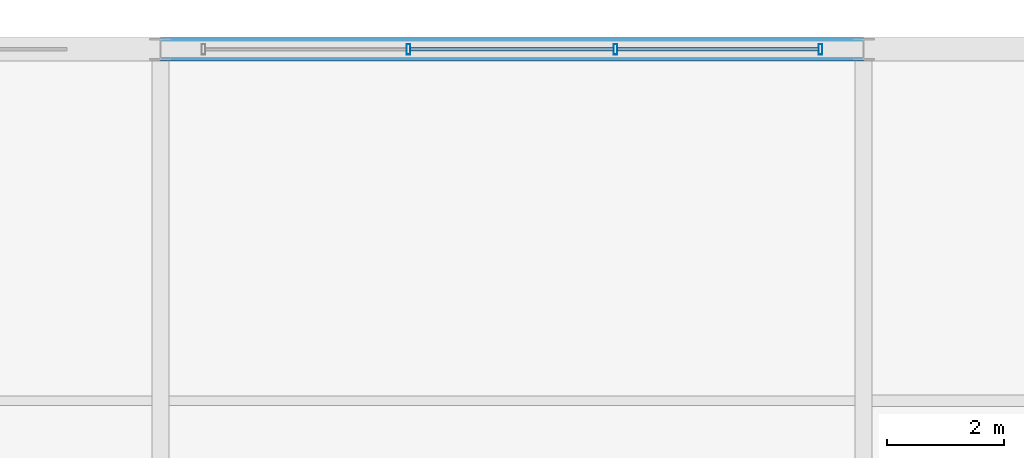
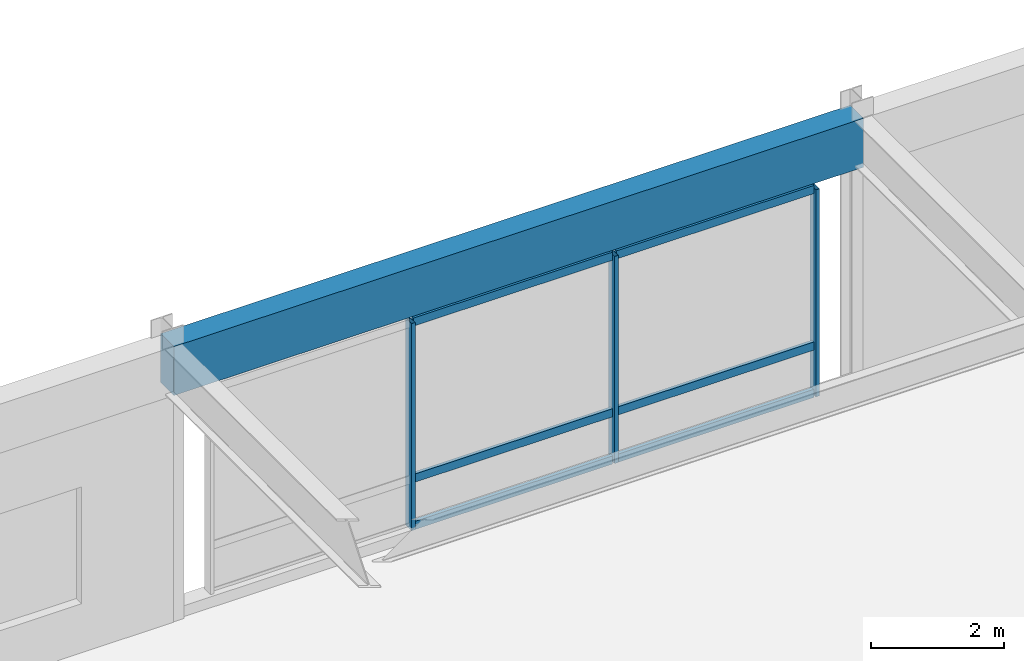
# One storey, part 68 of 100: 9 members, 1 beam, 1 element without a shape of its own.
"""IFC4 building model written with IfcOpenShell, lengths in metres."""

from ifc_helpers import new_model, si_unit, direction, frame, origin, origin_2d, place, context, subcontext, project, spatial, rectangle, hollow_rectangle, extrude, material, material_profile, profile_set, type_object, element, aggregate, save


model = new_model("IFC4")

# Units and contexts
model_context = context("Model", 3, precision=1e-05, world=origin(), true_north=direction((0.0, 1.0)))
body_context = subcontext(model_context, "Body", "Model", "MODEL_VIEW")
ifc_project = project(units=[si_unit("LENGTHUNIT", "METRE"), si_unit("AREAUNIT", "SQUARE_METRE"), si_unit("VOLUMEUNIT", "CUBIC_METRE"), si_unit("PLANEANGLEUNIT", "RADIAN"), si_unit("MASSUNIT", "GRAM", prefix="KILO")], contexts=[model_context])

# Site, building, storey
site_placement = place(None, origin())
site = spatial("IfcSite", under=ifc_project, at=site_placement, CompositionType="ELEMENT")
building_placement = place(site_placement, origin())
building = spatial("IfcBuilding", under=site, at=building_placement, Name="Kaldorvane Square Convention Centre", CompositionType="ELEMENT")
storey_placement = place(building_placement, frame((0.0, 0.0, 18.0)))
storey = spatial("IfcBuildingStorey", under=building, at=storey_placement, Name="L03", CompositionType="ELEMENT", Elevation=18.0)

# Beam
ifc_material_1 = material(Name="Concrete f'c = 42 MPa (Normalweight)", Category="concrete")
ifc_material_profile_1 = material_profile(ifc_material_1, rectangle(XDim=0.399993896484375, YDim=0.899993896484375, at=origin_2d()), Name="RCSP900X400")
ifc_profile_set_1 = profile_set([ifc_material_profile_1], Name="Concrete f'c = 42 MPa (Normalweight)")
beam_type = type_object("IfcBeamType", Name="BM-SP-RC900", PredefinedType="SPANDREL", material=ifc_profile_set_1)
beam_placement = place(storey_placement, frame((126.0, 117.0, 4.626007080078125), z_axis=(1.0, 0.0, 0.0), x_axis=(0.0, 1.0, 0.0)))
element("IfcBeam", 1, at=beam_placement, inside=storey, type_object=beam_type, Name="Perimeter Spandrel (L03)", PredefinedType="SPANDREL", context=body_context, shape_type="SweptSolid", body=[
    extrude(rectangle(XDim=0.399993896484375, YDim=0.899993896484375, at=origin_2d()), origin(), (0.0, 0.0, 1.0), 12.0),
])

# Curtain wall, members
ifc_material_2 = material(Name="Anodized Aluminum and Low-E Insulated Glazing", Category="aluminium")
curtain_wall_type = type_object("IfcCurtainWallType", Name="CW-UNI-P54-09", PredefinedType="USERDEFINED", material=ifc_material_2)
curtain_wall_placement = place(storey_placement, origin())
curtain_wall = element("IfcCurtainWall", 2, at=curtain_wall_placement, inside=storey, type_object=curtain_wall_type, Name="Curtain Wall CW-04 (L03)", ObjectType="UNITISED GLAZING", PredefinedType="USERDEFINED")
ifc_material_profile_2 = material_profile(ifc_material_2, hollow_rectangle(XDim=0.06500244140625, YDim=0.17999267578125, WallThickness=0.0034942626953125, at=origin_2d()), Name="CWM-180X65")
ifc_profile_set_2 = profile_set([ifc_material_profile_2], Name="Anodized Aluminum and Low-E Insulated Glazing")
member_type_1 = type_object("IfcMemberType", Name="CW-MUL-180", PredefinedType="MULLION", material=ifc_profile_set_2)
member_1_placement = place(storey_placement, frame((137.2675018310547, 117.0, 0.149993896484375), z_axis=(0.0, 0.0, 1.0), x_axis=(-1.0, 0.0, 0.0)))
member_1 = element("IfcMember", 3, at=member_1_placement, type_object=member_type_1, Name="CW-04 mullion 1", PredefinedType="MULLION", context=body_context, shape_type="SweptSolid", body=[
    extrude(hollow_rectangle(XDim=0.06500244140625, YDim=0.17999267578125, WallThickness=0.0034942626953125, at=origin_2d()), origin(), (0.0, 0.0, 1.0), 3.8100128173828125),
])
member_2_placement = place(storey_placement, frame((133.76666259765625, 117.0, 0.149993896484375), z_axis=(0.0, 0.0, 1.0), x_axis=(-1.0, 0.0, 0.0)))
member_2 = element("IfcMember", 4, at=member_2_placement, type_object=member_type_1, Name="CW-04 mullion 2", PredefinedType="MULLION", context=body_context, shape_type="SweptSolid", body=[
    extrude(hollow_rectangle(XDim=0.06500244140625, YDim=0.17999267578125, WallThickness=0.0034942626953125, at=origin_2d()), origin(), (0.0, 0.0, 1.0), 3.8100128173828125),
])
member_3_placement = place(storey_placement, frame((130.23333740234375, 117.0, 0.149993896484375), z_axis=(0.0, 0.0, 1.0), x_axis=(-1.0, 0.0, 0.0)))
member_3 = element("IfcMember", 5, at=member_3_placement, type_object=member_type_1, Name="CW-04 mullion 3", PredefinedType="MULLION", context=body_context, shape_type="SweptSolid", body=[
    extrude(hollow_rectangle(XDim=0.06500244140625, YDim=0.17999267578125, WallThickness=0.0034942626953125, at=origin_2d()), origin(), (0.0, 0.0, 1.0), 3.8100128173828125),
])
ifc_material_profile_3 = material_profile(ifc_material_2, hollow_rectangle(XDim=0.05999755859375, YDim=0.149993896484375, WallThickness=0.003204345703125, at=origin_2d()), Name="CWT-150X60")
ifc_profile_set_3 = profile_set([ifc_material_profile_3], Name="Anodized Aluminum and Low-E Insulated Glazing")
member_type_2 = type_object("IfcMemberType", Name="CW-TRN-150", PredefinedType="USERDEFINED", material=ifc_profile_set_3)
member_4_placement = place(storey_placement, frame((137.23500061035156, 117.0, 0.17999267578125), z_axis=(-1.0, 0.0, 0.0), x_axis=(0.0, -1.0, 0.0)))
member_4 = element("IfcMember", 6, at=member_4_placement, type_object=member_type_2, Name="CW-04 transom 1.1", ObjectType="TRANSOM", PredefinedType="USERDEFINED", context=body_context, shape_type="SweptSolid", body=[
    extrude(hollow_rectangle(XDim=0.05999755859375, YDim=0.149993896484375, WallThickness=0.003204345703125, at=origin_2d()), origin(), (0.0, 0.0, 1.0), 3.4358367919921875),
])
member_5_placement = place(storey_placement, frame((137.23500061035156, 117.0, 1.0500030517578125), z_axis=(-1.0, 0.0, 0.0), x_axis=(0.0, -1.0, 0.0)))
member_5 = element("IfcMember", 7, at=member_5_placement, type_object=member_type_2, Name="CW-04 transom 1.2", ObjectType="TRANSOM", PredefinedType="USERDEFINED", context=body_context, shape_type="SweptSolid", body=[
    extrude(hollow_rectangle(XDim=0.05999755859375, YDim=0.149993896484375, WallThickness=0.003204345703125, at=origin_2d()), origin(), (0.0, 0.0, 1.0), 3.4358367919921875),
])
member_6_placement = place(storey_placement, frame((137.23500061035156, 117.0, 3.92999267578125), z_axis=(-1.0, 0.0, 0.0), x_axis=(0.0, -1.0, 0.0)))
member_6 = element("IfcMember", 8, at=member_6_placement, type_object=member_type_2, Name="CW-04 transom 1.3", ObjectType="TRANSOM", PredefinedType="USERDEFINED", context=body_context, shape_type="SweptSolid", body=[
    extrude(hollow_rectangle(XDim=0.05999755859375, YDim=0.149993896484375, WallThickness=0.003204345703125, at=origin_2d()), origin(), (0.0, 0.0, 1.0), 3.4358367919921875),
])
member_7_placement = place(storey_placement, frame((133.73416137695312, 117.0, 0.17999267578125), z_axis=(-1.0, 0.0, 0.0), x_axis=(0.0, -1.0, 0.0)))
member_7 = element("IfcMember", 9, at=member_7_placement, type_object=member_type_2, Name="CW-04 transom 2.1", ObjectType="TRANSOM", PredefinedType="USERDEFINED", context=body_context, shape_type="SweptSolid", body=[
    extrude(hollow_rectangle(XDim=0.05999755859375, YDim=0.149993896484375, WallThickness=0.003204345703125, at=origin_2d()), origin(), (0.0, 0.0, 1.0), 3.46832275390625),
])
member_8_placement = place(storey_placement, frame((133.73416137695312, 117.0, 1.0500030517578125), z_axis=(-1.0, 0.0, 0.0), x_axis=(0.0, -1.0, 0.0)))
member_8 = element("IfcMember", 10, at=member_8_placement, type_object=member_type_2, Name="CW-04 transom 2.2", ObjectType="TRANSOM", PredefinedType="USERDEFINED", context=body_context, shape_type="SweptSolid", body=[
    extrude(hollow_rectangle(XDim=0.05999755859375, YDim=0.149993896484375, WallThickness=0.003204345703125, at=origin_2d()), origin(), (0.0, 0.0, 1.0), 3.46832275390625),
])
member_9_placement = place(storey_placement, frame((133.73416137695312, 117.0, 3.92999267578125), z_axis=(-1.0, 0.0, 0.0), x_axis=(0.0, -1.0, 0.0)))
member_9 = element("IfcMember", 11, at=member_9_placement, type_object=member_type_2, Name="CW-04 transom 2.3", ObjectType="TRANSOM", PredefinedType="USERDEFINED", context=body_context, shape_type="SweptSolid", body=[
    extrude(hollow_rectangle(XDim=0.05999755859375, YDim=0.149993896484375, WallThickness=0.003204345703125, at=origin_2d()), origin(), (0.0, 0.0, 1.0), 3.46832275390625),
])
aggregate(curtain_wall, [member_1, member_2, member_3, member_4, member_5, member_6, member_7, member_8, member_9])

save(model, "model.ifc")
